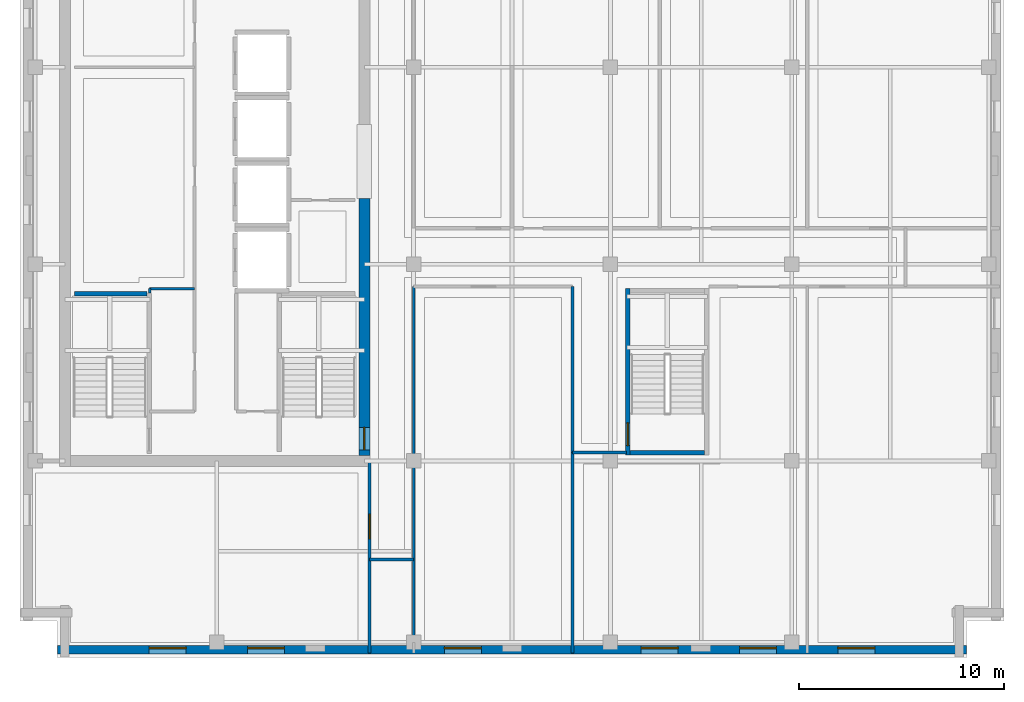
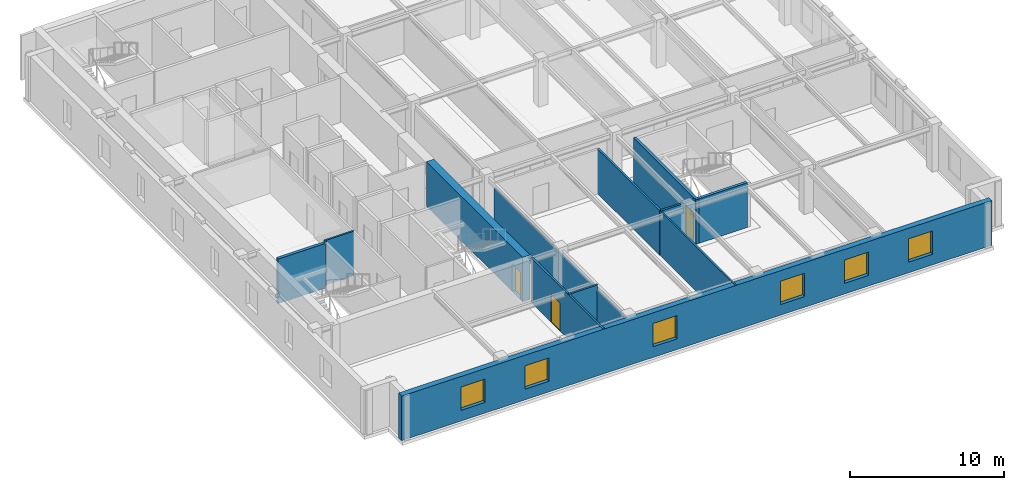
# One storey, part 3 of 11: 13 walls, 6 windows, 3 doors, 9 openings.
"""IFC4 building model written with IfcOpenShell, lengths in metres."""

from ifc_helpers import new_model, si_unit, direction, frame, frame_2d, origin, place, context, subcontext, project, spatial, rectangle, extrude, material, layer, layer_set, type_object, element, fill, save


model = new_model("IFC4")

# Units and contexts
model_context = context("Model", 3, precision=1e-05, world=origin(), true_north=direction((0.0, 1.0)))
body_context = subcontext(model_context, "Body", "Model", "MODEL_VIEW")
ifc_project = project(units=[si_unit("LENGTHUNIT", "METRE"), si_unit("AREAUNIT", "SQUARE_METRE"), si_unit("VOLUMEUNIT", "CUBIC_METRE"), si_unit("PLANEANGLEUNIT", "RADIAN"), si_unit("MASSUNIT", "GRAM", prefix="KILO")], contexts=[model_context])

# Site, building, storey
site_placement = place(None, origin())
site = spatial("IfcSite", under=ifc_project, at=site_placement, CompositionType="ELEMENT")
building_placement = place(site_placement, origin())
building = spatial("IfcBuilding", under=site, at=building_placement, Name="Norrvale University Quadrangle", CompositionType="ELEMENT")
storey_placement = place(building_placement, frame((0.0, 0.0, 288.60009765625)))
storey = spatial("IfcBuildingStorey", under=building, at=storey_placement, Name="L73", CompositionType="ELEMENT", Elevation=288.60009765625)

# Wall, openings, windows
ifc_material_1 = material(Name="Buff Norman Clay Brick Masonry", Category="masonry")
ifc_layer_1 = layer(ifc_material_1, 0.419921875, Name="Buff Norman Clay Brick Masonry")
ifc_layer_set_1 = layer_set([ifc_layer_1], Name="Buff Norman Clay Brick Masonry")
wall_type_1 = type_object("IfcWallType", Name="Wall Buff Brick 420", PredefinedType="SOLIDWALL", material=ifc_layer_set_1)
wall_1_placement = place(storey_placement, frame((1.840087890625, 0.389892578125, 0.0), z_axis=(0.0, 0.0, 1.0), x_axis=(1.0, 0.0, 0.0)))
wall_1 = element("IfcWall", 1, at=wall_1_placement, inside=storey, type_object=wall_type_1, Name="Exterior Brick Facade Wall L73-01.1", PredefinedType="SOLIDWALL", context=body_context, shape_type="SweptSolid", body=[
    extrude(rectangle(XDim=44.31982421875, YDim=0.419921875, at=frame_2d((22.159912109375, 0.0))), origin(), (0.0, 0.0, 1.0), 3.539794921875),
])
opening_1_placement = place(wall_1_placement, frame((4.4599609375, 0.0, 0.85009765625)))
opening_1 = element("IfcOpeningElement", 2, at=opening_1_placement, cuts=wall_1, Name="Opening W01", PredefinedType="OPENING", context=body_context, shape_type="SweptSolid", body=[
    extrude(rectangle(XDim=1.800048828125, YDim=1.85009765625, at=frame_2d((0.89990234375, 0.925048828125))), frame((0.0, 0.221923828125, 0.0), z_axis=(0.0, -1.0, 0.0), x_axis=(1.0, 0.0, 0.0)), (0.0, 0.0, 1.0), 0.44384765625),
])
opening_2_placement = place(wall_1_placement, frame((9.260009765625, 0.0, 0.85009765625)))
opening_2 = element("IfcOpeningElement", 3, at=opening_2_placement, cuts=wall_1, Name="Opening W01", PredefinedType="OPENING", context=body_context, shape_type="SweptSolid", body=[
    extrude(rectangle(XDim=1.800048828125, YDim=1.85009765625, at=frame_2d((0.89990234375, 0.925048828125))), frame((0.0, 0.221923828125, 0.0), z_axis=(0.0, -1.0, 0.0), x_axis=(1.0, 0.0, 0.0)), (0.0, 0.0, 1.0), 0.44384765625),
])
opening_3_placement = place(wall_1_placement, frame((18.860107421875, 0.0, 0.85009765625)))
opening_3 = element("IfcOpeningElement", 4, at=opening_3_placement, cuts=wall_1, Name="Opening W01", PredefinedType="OPENING", context=body_context, shape_type="SweptSolid", body=[
    extrude(rectangle(XDim=1.800048828125, YDim=1.85009765625, at=frame_2d((0.89990234375, 0.925048828125))), frame((0.0, 0.221923828125, 0.0), z_axis=(0.0, -1.0, 0.0), x_axis=(1.0, 0.0, 0.0)), (0.0, 0.0, 1.0), 0.44384765625),
])
opening_4_placement = place(wall_1_placement, frame((28.4599609375, 0.0, 0.85009765625)))
opening_4 = element("IfcOpeningElement", 5, at=opening_4_placement, cuts=wall_1, Name="Opening W01", PredefinedType="OPENING", context=body_context, shape_type="SweptSolid", body=[
    extrude(rectangle(XDim=1.800048828125, YDim=1.85009765625, at=frame_2d((0.89990234375, 0.925048828125))), frame((0.0, 0.221923828125, 0.0), z_axis=(0.0, -1.0, 0.0), x_axis=(1.0, 0.0, 0.0)), (0.0, 0.0, 1.0), 0.44384765625),
])
opening_5_placement = place(wall_1_placement, frame((33.260009765625, 0.0, 0.85009765625)))
opening_5 = element("IfcOpeningElement", 6, at=opening_5_placement, cuts=wall_1, Name="Opening W01", PredefinedType="OPENING", context=body_context, shape_type="SweptSolid", body=[
    extrude(rectangle(XDim=1.800048828125, YDim=1.85009765625, at=frame_2d((0.89990234375, 0.925048828125))), frame((0.0, 0.221923828125, 0.0), z_axis=(0.0, -1.0, 0.0), x_axis=(1.0, 0.0, 0.0)), (0.0, 0.0, 1.0), 0.44384765625),
])
opening_6_placement = place(wall_1_placement, frame((38.06005859375, 0.0, 0.85009765625)))
opening_6 = element("IfcOpeningElement", 7, at=opening_6_placement, cuts=wall_1, Name="Opening W01", PredefinedType="OPENING", context=body_context, shape_type="SweptSolid", body=[
    extrude(rectangle(XDim=1.800048828125, YDim=1.85009765625, at=frame_2d((0.89990234375, 0.925048828125))), frame((0.0, 0.221923828125, 0.0), z_axis=(0.0, -1.0, 0.0), x_axis=(1.0, 0.0, 0.0)), (0.0, 0.0, 1.0), 0.44384765625),
])
ifc_material_2 = material(Name="Triple Low-E Argon Glazing", Category="glass")
window_type = type_object("IfcWindowType", Name="Window Academic 1800x2300", PartitioningType="DOUBLE_PANEL_VERTICAL", PredefinedType="WINDOW", material=ifc_material_2)
window_1_placement = place(opening_1_placement, origin())
window_1 = element("IfcWindow", 8, at=window_1_placement, inside=storey, type_object=window_type, Name="Window Academic 1800x2300 WIN-L73-E01-1-01", OverallHeight=1.85009765625, OverallWidth=1.800048828125, PartitioningType="DOUBLE_PANEL_VERTICAL", PredefinedType="WINDOW", context=body_context, shape_type="SweptSolid", body=[
    extrude(rectangle(XDim=1.800048828125, YDim=1.85009765625, at=frame_2d((0.89990234375, 0.925048828125))), frame((0.0, 0.110107421875, 0.0), z_axis=(0.0, -1.0, 0.0), x_axis=(1.0, 0.0, 0.0)), (0.0, 0.0, 1.0), 0.06005859375),
])
fill(opening_1, window_1)
window_2_placement = place(opening_2_placement, origin())
window_2 = element("IfcWindow", 9, at=window_2_placement, inside=storey, type_object=window_type, Name="Window Academic 1800x2300 WIN-L73-E01-1-02", OverallHeight=1.85009765625, OverallWidth=1.800048828125, PartitioningType="DOUBLE_PANEL_VERTICAL", PredefinedType="WINDOW", context=body_context, shape_type="SweptSolid", body=[
    extrude(rectangle(XDim=1.800048828125, YDim=1.85009765625, at=frame_2d((0.89990234375, 0.925048828125))), frame((0.0, 0.110107421875, 0.0), z_axis=(0.0, -1.0, 0.0), x_axis=(1.0, 0.0, 0.0)), (0.0, 0.0, 1.0), 0.06005859375),
])
fill(opening_2, window_2)
window_3_placement = place(opening_3_placement, origin())
window_3 = element("IfcWindow", 10, at=window_3_placement, inside=storey, type_object=window_type, Name="Window Academic 1800x2300 WIN-L73-E01-1-03", OverallHeight=1.85009765625, OverallWidth=1.800048828125, PartitioningType="DOUBLE_PANEL_VERTICAL", PredefinedType="WINDOW", context=body_context, shape_type="SweptSolid", body=[
    extrude(rectangle(XDim=1.800048828125, YDim=1.85009765625, at=frame_2d((0.89990234375, 0.925048828125))), frame((0.0, 0.110107421875, 0.0), z_axis=(0.0, -1.0, 0.0), x_axis=(1.0, 0.0, 0.0)), (0.0, 0.0, 1.0), 0.06005859375),
])
fill(opening_3, window_3)
window_4_placement = place(opening_4_placement, origin())
window_4 = element("IfcWindow", 11, at=window_4_placement, inside=storey, type_object=window_type, Name="Window Academic 1800x2300 WIN-L73-E01-1-04", OverallHeight=1.85009765625, OverallWidth=1.800048828125, PartitioningType="DOUBLE_PANEL_VERTICAL", PredefinedType="WINDOW", context=body_context, shape_type="SweptSolid", body=[
    extrude(rectangle(XDim=1.800048828125, YDim=1.85009765625, at=frame_2d((0.89990234375, 0.925048828125))), frame((0.0, 0.110107421875, 0.0), z_axis=(0.0, -1.0, 0.0), x_axis=(1.0, 0.0, 0.0)), (0.0, 0.0, 1.0), 0.06005859375),
])
fill(opening_4, window_4)
window_5_placement = place(opening_5_placement, origin())
window_5 = element("IfcWindow", 12, at=window_5_placement, inside=storey, type_object=window_type, Name="Window Academic 1800x2300 WIN-L73-E01-1-05", OverallHeight=1.85009765625, OverallWidth=1.800048828125, PartitioningType="DOUBLE_PANEL_VERTICAL", PredefinedType="WINDOW", context=body_context, shape_type="SweptSolid", body=[
    extrude(rectangle(XDim=1.800048828125, YDim=1.85009765625, at=frame_2d((0.89990234375, 0.925048828125))), frame((0.0, 0.110107421875, 0.0), z_axis=(0.0, -1.0, 0.0), x_axis=(1.0, 0.0, 0.0)), (0.0, 0.0, 1.0), 0.06005859375),
])
fill(opening_5, window_5)
window_6_placement = place(opening_6_placement, origin())
window_6 = element("IfcWindow", 13, at=window_6_placement, inside=storey, type_object=window_type, Name="Window Academic 1800x2300 WIN-L73-E01-1-06", OverallHeight=1.85009765625, OverallWidth=1.800048828125, PartitioningType="DOUBLE_PANEL_VERTICAL", PredefinedType="WINDOW", context=body_context, shape_type="SweptSolid", body=[
    extrude(rectangle(XDim=1.800048828125, YDim=1.85009765625, at=frame_2d((0.89990234375, 0.925048828125))), frame((0.0, 0.110107421875, 0.0), z_axis=(0.0, -1.0, 0.0), x_axis=(1.0, 0.0, 0.0)), (0.0, 0.0, 1.0), 0.06005859375),
])
fill(opening_6, window_6)

# Wall, opening, door
ifc_material_3 = material(Name="Concrete C60/75", Category="concrete")
ifc_layer_2 = layer(ifc_material_3, 0.550048828125, Name="Concrete C60/75")
ifc_layer_set_2 = layer_set([ifc_layer_2], Name="Concrete C60/75")
wall_type_2 = type_object("IfcWallType", Name="Wall Core 550", PredefinedType="SHEAR", material=ifc_layer_set_2)
wall_2_placement = place(storey_placement, frame((16.800048828125, 9.875, 0.0), z_axis=(0.0, 0.0, 1.0), x_axis=(0.0, 1.0, 0.0)))
wall_2 = element("IfcWall", 14, at=wall_2_placement, inside=storey, type_object=wall_type_2, Name="Tower Core Shear Wall L73-E1", PredefinedType="SHEAR", context=body_context, shape_type="SweptSolid", body=[
    extrude(rectangle(XDim=12.52490234375, YDim=0.550048828125, at=frame_2d((6.262451171875, 0.0))), origin(), (0.0, 0.0, 1.0), 3.539794921875),
])
opening_7_placement = place(wall_2_placement, frame((0.264892578125, 0.0, 0.0)))
opening_7 = element("IfcOpeningElement", 15, at=opening_7_placement, cuts=wall_2, Name="Opening D02", PredefinedType="OPENING", context=body_context, shape_type="SweptSolid", body=[
    extrude(rectangle(XDim=1.10009765625, YDim=2.199951171875, at=frame_2d((0.550048828125, 1.10009765625))), frame((0.0, 0.287109375, 0.0), z_axis=(0.0, -1.0, 0.0), x_axis=(1.0, 0.0, 0.0)), (0.0, 0.0, 1.0), 0.573974609375),
])
ifc_material_4 = material(Name="Hollow Steel 350W Fire Door", Category="steel")
door_type_1 = type_object("IfcDoorType", Name="Door Stair Exit 1100x2200", OperationType="NOTDEFINED", PredefinedType="DOOR", material=ifc_material_4)
door_1_placement = place(opening_7_placement, origin())
door_1 = element("IfcDoor", 16, at=door_1_placement, inside=storey, type_object=door_type_1, Name="Door Stair Exit 1100x2200 DR-L73-ST03", OperationType="SINGLE_SWING_LEFT", OverallHeight=2.199951171875, OverallWidth=1.10009765625, PredefinedType="DOOR", context=body_context, shape_type="SweptSolid", body=[
    extrude(rectangle(XDim=1.10009765625, YDim=2.199951171875, at=frame_2d((0.550048828125, 1.10009765625))), frame((0.0, 0.02490234375, 0.0), z_axis=(0.0, -1.0, 0.0), x_axis=(1.0, 0.0, 0.0)), (0.0, 0.0, 1.0), 0.050048828125),
])
fill(opening_7, door_1)

# Walls
ifc_material_5 = material(Name="Standard Academic Gypsum Partition")
ifc_layer_3 = layer(ifc_material_5, 0.125, Name="Standard Academic Gypsum Partition")
ifc_layer_set_3 = layer_set([ifc_layer_3], Name="Standard Academic Gypsum Partition")
wall_type_3 = type_object("IfcWallType", Name="Wall Gypsum Academic 125", PredefinedType="PARTITIONING", material=ifc_layer_set_3)
wall_3_placement = place(storey_placement, frame((6.320068359375, 17.800048828125, 0.0), z_axis=(0.0, 0.0, 1.0), x_axis=(0.0, 1.0, 0.0)))
element("IfcWall", 17, at=wall_3_placement, inside=storey, type_object=wall_type_3, Name="Interior Partition WL-L73-REC-L1", PredefinedType="PARTITIONING", context=body_context, shape_type="SweptSolid", body=[
    extrude(rectangle(XDim=0.199951171875, YDim=0.125, at=frame_2d((0.10009765625, 0.0))), origin(), (0.0, 0.0, 1.0), 3.539794921875),
])
wall_4_placement = place(storey_placement, frame((6.320068359375, 18.0, 0.0), z_axis=(0.0, 0.0, 1.0), x_axis=(1.0, 0.0, 0.0)))
element("IfcWall", 18, at=wall_4_placement, inside=storey, type_object=wall_type_3, Name="Interior Partition WL-L73-REC-L2", PredefinedType="PARTITIONING", context=body_context, shape_type="SweptSolid", body=[
    extrude(rectangle(XDim=2.199951171875, YDim=0.125, at=frame_2d((1.10009765625, 0.0))), origin(), (0.0, 0.0, 1.0), 3.539794921875),
])
wall_5_placement = place(storey_placement, frame((19.199951171875, 0.75, 0.0), z_axis=(0.0, 0.0, 1.0), x_axis=(0.0, 1.0, 0.0)))
element("IfcWall", 19, at=wall_5_placement, inside=storey, type_object=wall_type_3, Name="Interior Partition WL-L73-SE-W0-B2", PredefinedType="PARTITIONING", context=body_context, shape_type="SweptSolid", body=[
    extrude(rectangle(XDim=17.35009765625, YDim=0.125, at=frame_2d((8.675048828125, 0.0))), origin(), (0.0, 0.0, 1.0), 3.122802734375),
])
wall_6_placement = place(storey_placement, frame((26.949951171875, 0.219970703125, 0.0), z_axis=(0.0, 0.0, 1.0), x_axis=(0.0, 1.0, 0.0)))
element("IfcWall", 20, at=wall_6_placement, inside=storey, type_object=wall_type_3, Name="Interior Partition WL-L73-SEP1A", PredefinedType="PARTITIONING", context=body_context, shape_type="SweptSolid", body=[
    extrude(rectangle(XDim=9.780029296875, YDim=0.125, at=frame_2d((4.89013671875, 0.0))), origin(), (0.0, 0.0, 1.0), 3.539794921875),
])
ifc_material_6 = material(Name="Fire-Rated Gypsum Stud Partition")
ifc_layer_4 = layer(ifc_material_6, 0.14990234375, Name="Fire-Rated Gypsum Stud Partition")
ifc_layer_set_4 = layer_set([ifc_layer_4], Name="Fire-Rated Gypsum Stud Partition")
wall_type_4 = type_object("IfcWallType", Name="Wall Gypsum Corridor 150", PredefinedType="PARTITIONING", material=ifc_layer_set_4)
wall_7_placement = place(storey_placement, frame((17.050048828125, 4.800048828125, 0.0), z_axis=(0.0, 0.0, 1.0), x_axis=(1.0, 0.0, 0.0)))
element("IfcWall", 21, at=wall_7_placement, inside=storey, type_object=wall_type_4, Name="Interior Partition WL-L73-CSP-S", PredefinedType="PARTITIONING", context=body_context, shape_type="SweptSolid", body=[
    extrude(rectangle(XDim=2.14990234375, YDim=0.14990234375, at=frame_2d((1.074951171875, 0.0))), origin(), (0.0, 0.0, 1.0), 3.539794921875),
])

# Wall, opening, door
wall_8_placement = place(storey_placement, frame((17.050048828125, 0.219970703125, 0.0), z_axis=(0.0, 0.0, 1.0), x_axis=(0.0, 1.0, 0.0)))
wall_8 = element("IfcWall", 22, at=wall_8_placement, inside=storey, type_object=wall_type_4, Name="Interior Partition WL-L73-SW-E", PredefinedType="PARTITIONING", context=body_context, shape_type="SweptSolid", body=[
    extrude(rectangle(XDim=9.380126953125, YDim=0.14990234375, at=frame_2d((4.68994140625, 0.0))), origin(), (0.0, 0.0, 1.0), 3.539794921875),
])
opening_8_placement = place(wall_8_placement, frame((5.580078125, 0.0, 0.0)))
opening_8 = element("IfcOpeningElement", 23, at=opening_8_placement, cuts=wall_8, Name="Opening D05", PredefinedType="OPENING", context=body_context, shape_type="SweptSolid", body=[
    extrude(rectangle(XDim=1.199951171875, YDim=2.199951171875, at=frame_2d((0.60009765625, 1.10009765625))), frame((0.0, 0.0869140625, 0.0), z_axis=(0.0, -1.0, 0.0), x_axis=(1.0, 0.0, 0.0)), (0.0, 0.0, 1.0), 0.173828125),
])
ifc_material_7 = material(Name="Acoustic Oak Classroom Door", Category="wood")
door_type_2 = type_object("IfcDoorType", Name="Door Classroom 1200x2200", OperationType="NOTDEFINED", PredefinedType="DOOR", material=ifc_material_7)
door_2_placement = place(opening_8_placement, origin())
door_2 = element("IfcDoor", 24, at=door_2_placement, inside=storey, type_object=door_type_2, Name="Door Classroom 1200x2200 DR-L73-SW1", OperationType="SINGLE_SWING_LEFT", OverallHeight=2.199951171875, OverallWidth=1.199951171875, PredefinedType="DOOR", context=body_context, shape_type="SweptSolid", body=[
    extrude(rectangle(XDim=1.199951171875, YDim=2.199951171875, at=frame_2d((0.60009765625, 1.10009765625))), frame((0.0, 0.02490234375, 0.0), z_axis=(0.0, -1.0, 0.0), x_axis=(1.0, 0.0, 0.0)), (0.0, 0.0, 1.0), 0.050048828125),
])
fill(opening_8, door_2)

# Walls
wall_9_placement = place(storey_placement, frame((26.949951171875, 10.0, 0.0), z_axis=(0.0, 0.0, 1.0), x_axis=(0.0, 1.0, 0.0)))
element("IfcWall", 25, at=wall_9_placement, inside=storey, type_object=wall_type_4, Name="Interior Partition WL-L73-SEP1B", PredefinedType="PARTITIONING", context=body_context, shape_type="SweptSolid", body=[
    extrude(rectangle(XDim=8.10009765625, YDim=0.14990234375, at=frame_2d((4.050048828125, 0.0))), origin(), (0.0, 0.0, 1.0), 3.539794921875),
])
wall_10_placement = place(storey_placement, frame((26.949951171875, 10.0, 0.0), z_axis=(0.0, 0.0, 1.0), x_axis=(1.0, 0.0, 0.0)))
element("IfcWall", 26, at=wall_10_placement, inside=storey, type_object=wall_type_4, Name="Interior Partition WL-L73-SEP1C", PredefinedType="PARTITIONING", context=body_context, shape_type="SweptSolid", body=[
    extrude(rectangle(XDim=2.630126953125, YDim=0.14990234375, at=frame_2d((1.31494140625, 0.0))), origin(), (0.0, 0.0, 1.0), 3.539794921875),
])
ifc_material_8 = material(Name="Concrete Blockwork 20 MPa Fire Shaft", Category="masonry")
ifc_layer_5 = layer(ifc_material_8, 0.219970703125, Name="Concrete Blockwork 20 MPa Fire Shaft")
ifc_layer_set_5 = layer_set([ifc_layer_5], Name="Concrete Blockwork 20 MPa Fire Shaft")
wall_type_5 = type_object("IfcWallType", Name="Wall Shaft 220", PredefinedType="SOLIDWALL", material=ifc_layer_set_5)
wall_11_placement = place(storey_placement, frame((2.64990234375, 17.760009765625, 0.0), z_axis=(0.0, 0.0, 1.0), x_axis=(1.0, 0.0, 0.0)))
element("IfcWall", 27, at=wall_11_placement, inside=storey, type_object=wall_type_5, Name="Stair ST-01 North Shaft Wall L73", PredefinedType="SOLIDWALL", context=body_context, shape_type="SweptSolid", body=[
    extrude(rectangle(XDim=3.550048828125, YDim=0.219970703125, at=frame_2d((1.77490234375, 0.0))), origin(), (0.0, 0.0, 1.0), 3.539794921875),
])
wall_12_placement = place(storey_placement, frame((29.75, 9.989990234375, 0.0), z_axis=(0.0, 0.0, 1.0), x_axis=(1.0, 0.0, 0.0)))
element("IfcWall", 28, at=wall_12_placement, inside=storey, type_object=wall_type_5, Name="Stair ST-04 South Shaft Wall L73", PredefinedType="SOLIDWALL", context=body_context, shape_type="SweptSolid", body=[
    extrude(rectangle(XDim=3.64990234375, YDim=0.219970703125, at=frame_2d((1.824951171875, 0.0))), origin(), (0.0, 0.0, 1.0), 3.539794921875),
])

# Wall, opening, door
wall_13_placement = place(storey_placement, frame((29.639892578125, 9.8798828125, 0.0), z_axis=(0.0, 0.0, 1.0), x_axis=(0.0, 1.0, 0.0)))
wall_13 = element("IfcWall", 29, at=wall_13_placement, inside=storey, type_object=wall_type_5, Name="Stair ST-04 West Shaft Wall L73", PredefinedType="SOLIDWALL", context=body_context, shape_type="SweptSolid", body=[
    extrude(rectangle(XDim=8.14013671875, YDim=0.219970703125, at=frame_2d((4.070068359375, 0.0))), origin(), (0.0, 0.0, 1.0), 3.539794921875),
])
opening_9_placement = place(wall_13_placement, frame((0.469970703125, 0.0, 0.0)))
opening_9 = element("IfcOpeningElement", 30, at=opening_9_placement, cuts=wall_13, Name="Opening D02", PredefinedType="OPENING", context=body_context, shape_type="SweptSolid", body=[
    extrude(rectangle(XDim=1.10009765625, YDim=2.199951171875, at=frame_2d((0.550048828125, 1.10009765625))), frame((0.0, 0.1220703125, 0.0), z_axis=(0.0, -1.0, 0.0), x_axis=(1.0, 0.0, 0.0)), (0.0, 0.0, 1.0), 0.243896484375),
])
door_3_placement = place(opening_9_placement, frame((1.10009765625, 0.0, 0.0), z_axis=(0.0, 0.0, 1.0), x_axis=(-1.0, 0.0, 0.0)))
door_3 = element("IfcDoor", 31, at=door_3_placement, inside=storey, type_object=door_type_1, Name="Door Stair Exit 1100x2200 DR-L73-ST04", OperationType="SINGLE_SWING_RIGHT", OverallHeight=2.199951171875, OverallWidth=1.10009765625, PredefinedType="DOOR", context=body_context, shape_type="SweptSolid", body=[
    extrude(rectangle(XDim=1.10009765625, YDim=2.199951171875, at=frame_2d((0.550048828125, 1.10009765625))), frame((0.0, 0.02490234375, 0.0), z_axis=(0.0, -1.0, 0.0), x_axis=(1.0, 0.0, 0.0)), (0.0, 0.0, 1.0), 0.050048828125),
])
fill(opening_9, door_3)

save(model, "model.ifc")
